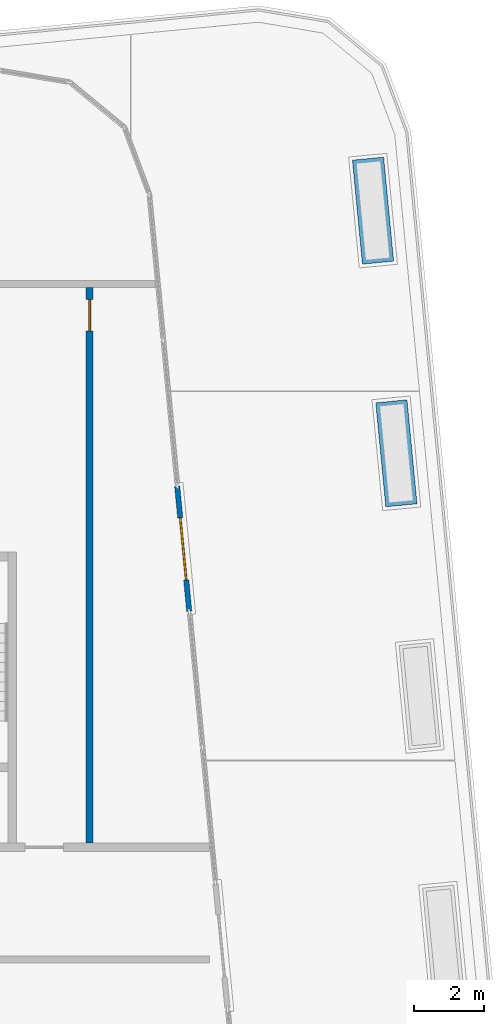
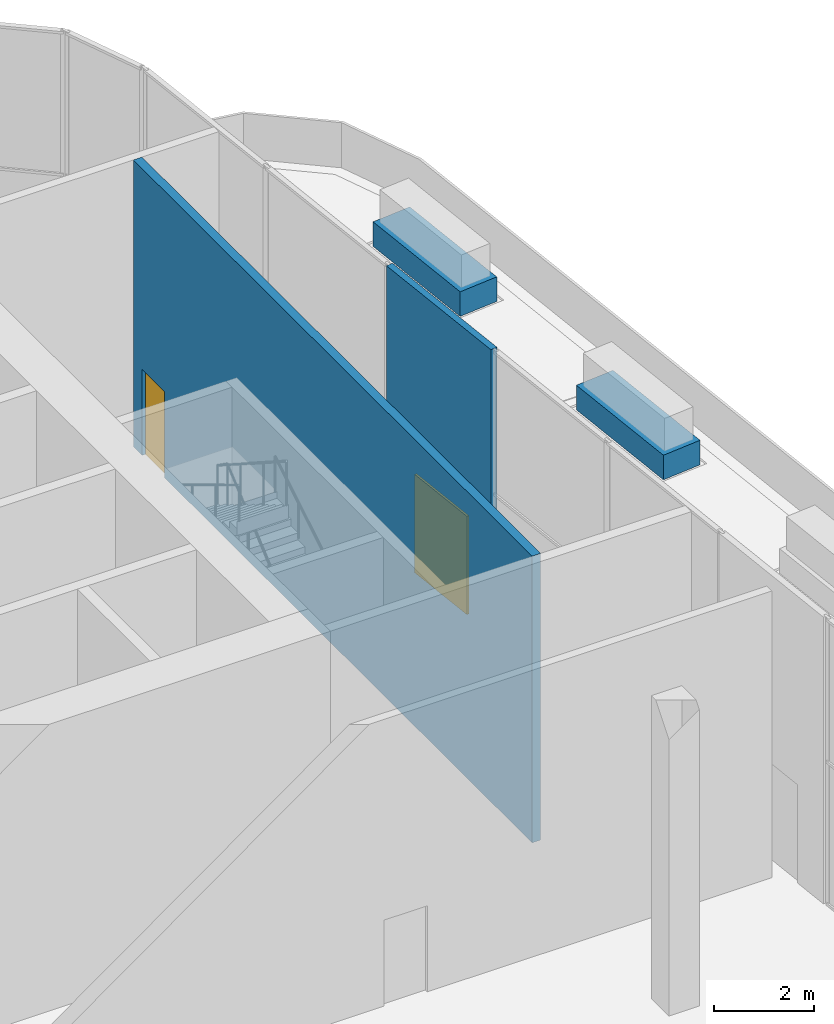
# One storey, part 16 of 25: 4 walls, 2 doors, 2 openings.
"""IFC4 building model written with IfcOpenShell, lengths in metres."""

from ifc_helpers import new_model, si_unit, direction, frame, frame_2d, origin, place, context, subcontext, project, spatial, rectangle, extrude, material, layer, layer_set, type_object, element, fill, save


model = new_model("IFC4")

# Units and contexts
model_context = context("Model", 3, precision=1e-05, world=origin(), true_north=direction((0.0, 1.0)))
body_context = subcontext(model_context, "Body", "Model", "MODEL_VIEW")
ifc_project = project(units=[si_unit("LENGTHUNIT", "METRE"), si_unit("AREAUNIT", "SQUARE_METRE"), si_unit("VOLUMEUNIT", "CUBIC_METRE"), si_unit("PLANEANGLEUNIT", "RADIAN"), si_unit("MASSUNIT", "GRAM", prefix="KILO")], contexts=[model_context])

# Site, building, storey
site_placement = place(None, origin())
site = spatial("IfcSite", under=ifc_project, at=site_placement, CompositionType="ELEMENT")
building_placement = place(site_placement, origin())
building = spatial("IfcBuilding", under=site, at=building_placement, Name="Kajstack Hotel Tower", CompositionType="ELEMENT")
storey_placement = place(building_placement, frame((0.0, 0.0, 155.0)))
storey = spatial("IfcBuildingStorey", under=building, at=storey_placement, Name="L36", CompositionType="ELEMENT", Elevation=155.0)

# Wall, opening, door
ifc_material_1 = material(Name="Aluminium", Category="aluminium")
ifc_layer_1 = layer(ifc_material_1, 0.14990234375)
ifc_layer_set_1 = layer_set([ifc_layer_1], Name="EW-FRAME")
wall_type_1 = type_object("IfcWallType", Name="EW-FRAME", PredefinedType="SOLIDWALL", material=ifc_layer_set_1)
wall_1_placement = place(storey_placement, frame((39.259521484375, 8.401123046875, 0.0), z_axis=(0.0, 0.0, 1.0), x_axis=(-0.095830004141, 0.995397714638, 0.0)))
wall_1 = element("IfcWall", 1, at=wall_1_placement, inside=storey, type_object=wall_type_1, Name="E-wall-L36-08-03", PredefinedType="SOLIDWALL", context=body_context, shape_type="SweptSolid", body=[
    extrude(rectangle(XDim=3.599853515625, YDim=0.14990234375, at=frame_2d((1.7998046875, 0.0))), origin(), (0.0, 0.0, 1.0), 7.0),
])
opening_1_placement = place(wall_1_placement, frame((0.89990234375, 0.0, 0.0)))
opening_1 = element("IfcOpeningElement", 2, at=opening_1_placement, cuts=wall_1, Name="Opening TD1", PredefinedType="OPENING", context=body_context, shape_type="SweptSolid", body=[
    extrude(rectangle(XDim=1.800048828125, YDim=2.39990234375, at=frame_2d((0.89990234375, 1.199951171875))), frame((0.0, 0.0849609375, 0.0), z_axis=(0.0, -1.0, 0.0), x_axis=(1.0, 0.0, 0.0)), (0.0, 0.0, 1.0), 0.169921875),
])
ifc_material_2 = material(Name="Timber-aluminium door", Category="wood")
door_type_1 = type_object("IfcDoorType", Name="DOOR-TERRACE", OperationType="DOUBLE_DOOR_SINGLE_SWING", PredefinedType="DOOR", material=ifc_material_2)
door_1_placement = place(opening_1_placement, origin())
door_1 = element("IfcDoor", 3, at=door_1_placement, inside=storey, type_object=door_type_1, Name="Terrace door L36-08", OperationType="SINGLE_SWING_LEFT", OverallHeight=2.39990234375, OverallWidth=1.800048828125, PredefinedType="DOOR", context=body_context, shape_type="SweptSolid", body=[
    extrude(rectangle(XDim=1.800048828125, YDim=2.39990234375, at=frame_2d((0.89990234375, 1.199951171875))), frame((0.0, 0.02490234375, 0.0), z_axis=(0.0, -1.0, 0.0), x_axis=(1.0, 0.0, 0.0)), (0.0, 0.0, 1.0), 0.050048828125),
])
fill(opening_1, door_1)

# Walls
ifc_material_3 = material(Name="Concrete C30/37", Category="concrete")
ifc_layer_2 = layer(ifc_material_3, 0.89990234375)
ifc_layer_set_2 = layer_set([ifc_layer_2], Name="PLANTER-WALL")
wall_type_2 = type_object("IfcWallType", Name="PLANTER-WALL", PredefinedType="SOLIDWALL", material=ifc_layer_set_2)
for number, where, z_axis, x_axis, name in (
    (4, (44.392578125, 21.39599609375, 0.0), (0.0, 0.0, 1.0), (0.095869027982, -0.99539395692, 0.0), "PLANTER L36-01-01"),
    (5, (45.063720703125, 14.42822265625, 0.0), (0.0, 0.0, 1.0), (0.095869027982, -0.99539395692, 0.0), "PLANTER L36-01-02"),
):
    element("IfcWall", number, at=place(storey_placement, frame(where, z_axis=z_axis, x_axis=x_axis)), inside=storey, type_object=wall_type_2, Name=name, PredefinedType="SOLIDWALL", context=body_context, shape_type="SweptSolid", body=[
        extrude(rectangle(XDim=3.0, YDim=0.89990234375, at=frame_2d((1.5, 0.0))), origin(), (0.0, 0.0, 1.0), 0.60009765625),
    ])

# Wall, opening, door
ifc_material_4 = material(Name="Gypsum board on steel studs, mineral wool", Category="steel")
ifc_layer_3 = layer(ifc_material_4, 0.199951171875)
ifc_layer_set_3 = layer_set([ifc_layer_3], Name="Service partition 200")
wall_type_3 = type_object("IfcWallType", Name="Service partition 200", PredefinedType="PARTITIONING", material=ifc_layer_set_3)
wall_2_placement = place(storey_placement, frame((36.39990234375, 1.75, 0.0), z_axis=(0.0, 0.0, 1.0), x_axis=(0.0, 1.0, 0.0)))
wall_2 = element("IfcWall", 6, at=wall_2_placement, inside=storey, type_object=wall_type_3, Name="Partition E WRE", PredefinedType="PARTITIONING", context=body_context, shape_type="SweptSolid", body=[
    extrude(rectangle(XDim=15.949951171875, YDim=0.199951171875, at=frame_2d((7.97509765625, 0.0))), origin(), (0.0, 0.0, 1.0), 7.0),
])
opening_2_placement = place(wall_2_placement, frame((14.699951171875, 0.0, 0.0)))
opening_2 = element("IfcOpeningElement", 7, at=opening_2_placement, cuts=wall_2, Name="Opening 36E19", PredefinedType="OPENING", context=body_context, shape_type="SweptSolid", body=[
    extrude(rectangle(XDim=0.89990234375, YDim=2.10009765625, at=frame_2d((0.449951171875, 1.050048828125))), frame((0.0, 0.10986328125, 0.0), z_axis=(0.0, -1.0, 0.0), x_axis=(1.0, 0.0, 0.0)), (0.0, 0.0, 1.0), 0.219970703125),
])
ifc_material_5 = material(Name="Timber leaf, fire-rated", Category="wood")
door_type_2 = type_object("IfcDoorType", Name="Service door 900", OperationType="SINGLE_SWING_LEFT", PredefinedType="DOOR", material=ifc_material_5)
door_2_placement = place(opening_2_placement, origin())
door_2 = element("IfcDoor", 8, at=door_2_placement, inside=storey, type_object=door_type_2, Name="Door 36E19", OperationType="SINGLE_SWING_RIGHT", OverallHeight=2.10009765625, OverallWidth=0.89990234375, PredefinedType="DOOR", context=body_context, shape_type="SweptSolid", body=[
    extrude(rectangle(XDim=0.89990234375, YDim=2.10009765625, at=frame_2d((0.449951171875, 1.050048828125))), frame((0.0, 0.02490234375, 0.0), z_axis=(0.0, -1.0, 0.0), x_axis=(1.0, 0.0, 0.0)), (0.0, 0.0, 1.0), 0.050048828125),
])
fill(opening_2, door_2)

save(model, "model.ifc")
